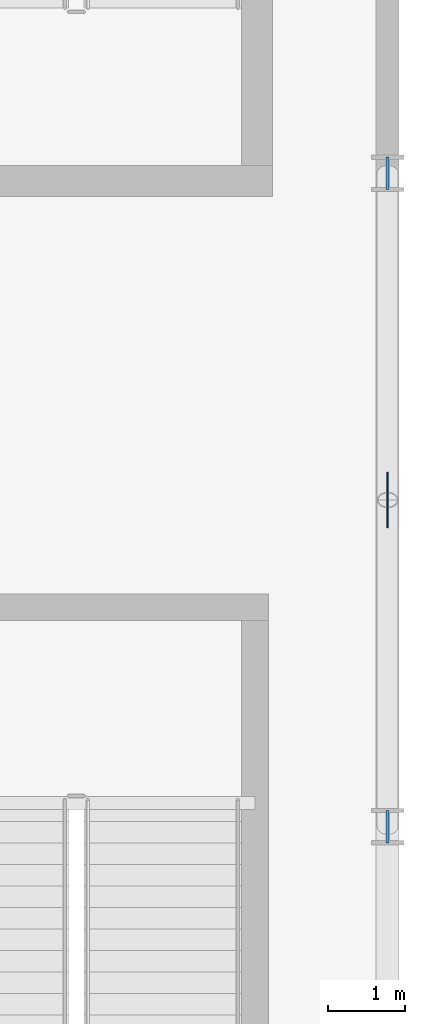
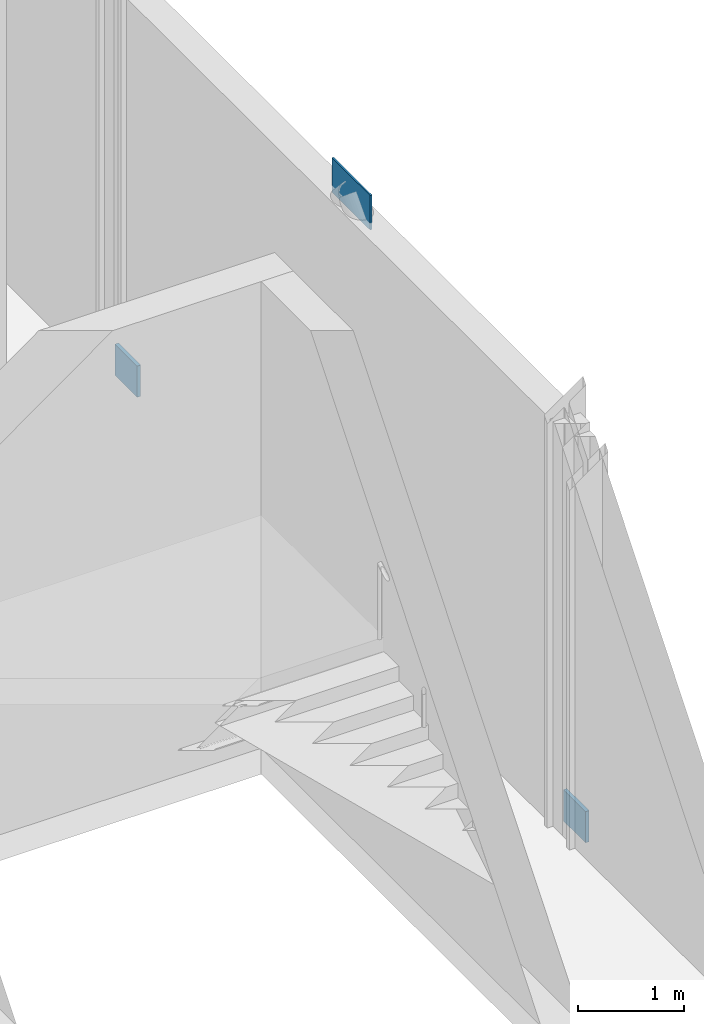
# One storey, part 49 of 78: 3 plates.
"""IFC4 building model written with IfcOpenShell, lengths in metres."""

from ifc_helpers import new_model, si_unit, direction, frame, origin, origin_2d, place, context, subcontext, project, spatial, rectangle, extrude, material, layer, layer_set, type_object, element, save


model = new_model("IFC4")

# Units and contexts
model_context = context("Model", 3, precision=1e-05, world=origin(), true_north=direction((0.0, 1.0)))
body_context = subcontext(model_context, "Body", "Model", "MODEL_VIEW")
ifc_project = project(units=[si_unit("LENGTHUNIT", "METRE"), si_unit("AREAUNIT", "SQUARE_METRE"), si_unit("VOLUMEUNIT", "CUBIC_METRE"), si_unit("PLANEANGLEUNIT", "RADIAN"), si_unit("MASSUNIT", "GRAM", prefix="KILO")], contexts=[model_context])

# Site, building, storey
site_placement = place(None, origin())
site = spatial("IfcSite", under=ifc_project, at=site_placement, CompositionType="ELEMENT")
building_placement = place(site_placement, origin())
building = spatial("IfcBuilding", under=site, at=building_placement, Name="Sefraquen Railside Congress Hotel", CompositionType="ELEMENT")
storey_placement = place(building_placement, frame((0.0, 0.0, 6.0)))
storey = spatial("IfcBuildingStorey", under=building, at=storey_placement, Name="L01", CompositionType="ELEMENT", Elevation=6.0)

# Plates
ifc_material = material(Name="Steel S355J2", Category="steel")
ifc_layer_1 = layer(ifc_material, 0.02001953125)
ifc_layer_set_1 = layer_set([ifc_layer_1], Name="Steel S355J2")
plate_type_1 = type_object("IfcPlateType", Name="TP-GUS-01", PredefinedType="SHEET", material=ifc_layer_set_1)
plate_placement = place(storey_placement, frame((172.0, 75.25, 4.60009765625), z_axis=(0.0, 0.0, 1.0), x_axis=(0.0, 1.0, 0.0)))
element("IfcPlate", 1, at=plate_placement, inside=storey, type_object=plate_type_1, Name="Chevron braced-frame apex gusset plate BF3 L01", PredefinedType="SHEET", context=body_context, shape_type="SweptSolid", body=[
    extrude(rectangle(XDim=0.719970703125, YDim=0.02001953125, at=origin_2d()), origin(), (0.0, 0.0, 1.0), 0.39990234375),
])
ifc_layer_2 = layer(ifc_material, 0.0400390625)
ifc_layer_set_2 = layer_set([ifc_layer_2], Name="Steel S355J2")
plate_type_2 = type_object("IfcPlateType", Name="TP-GUS-02", PredefinedType="SHEET", material=ifc_layer_set_2)
for number, where, z_axis, x_axis, name in (
    (2, (172.0, 71.0, 0.0), (0.0, 0.0, 1.0), (0.0, 1.0, 0.0), "Chevron braced-frame base gusset plate BF3-L L01"),
    (3, (172.0, 79.5, 0.0), (0.0, 0.0, 1.0), (0.0, 1.0, 0.0), "Chevron braced-frame base gusset plate BF3-R L01"),
):
    element("IfcPlate", number, at=place(storey_placement, frame(where, z_axis=z_axis, x_axis=x_axis)), inside=storey, type_object=plate_type_2, Name=name, PredefinedType="SHEET", context=body_context, shape_type="SweptSolid", body=[
        extrude(rectangle(XDim=0.419921875, YDim=0.0400390625, at=origin_2d()), origin(), (0.0, 0.0, 1.0), 0.360107421875),
    ])

save(model, "model.ifc")
